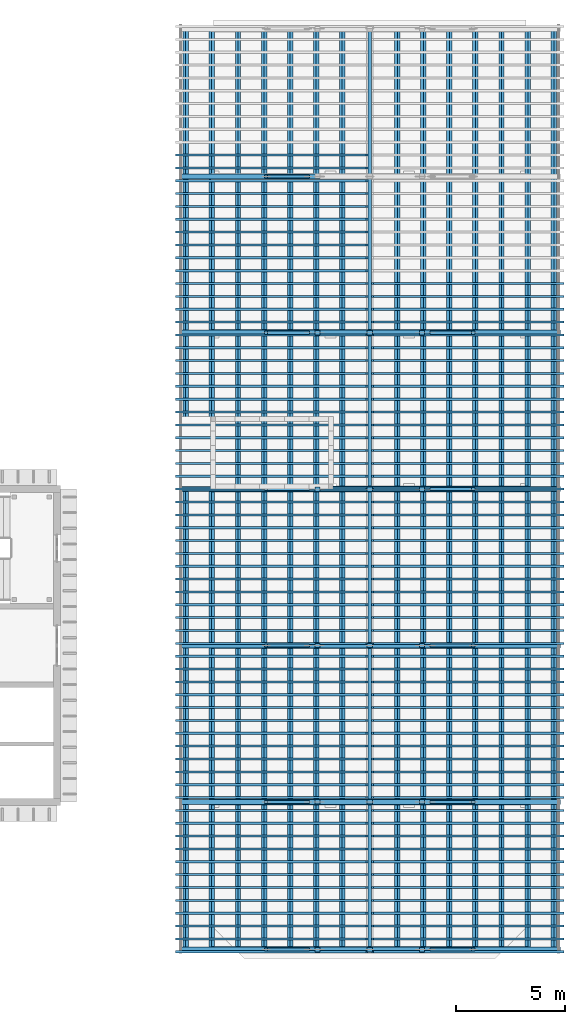
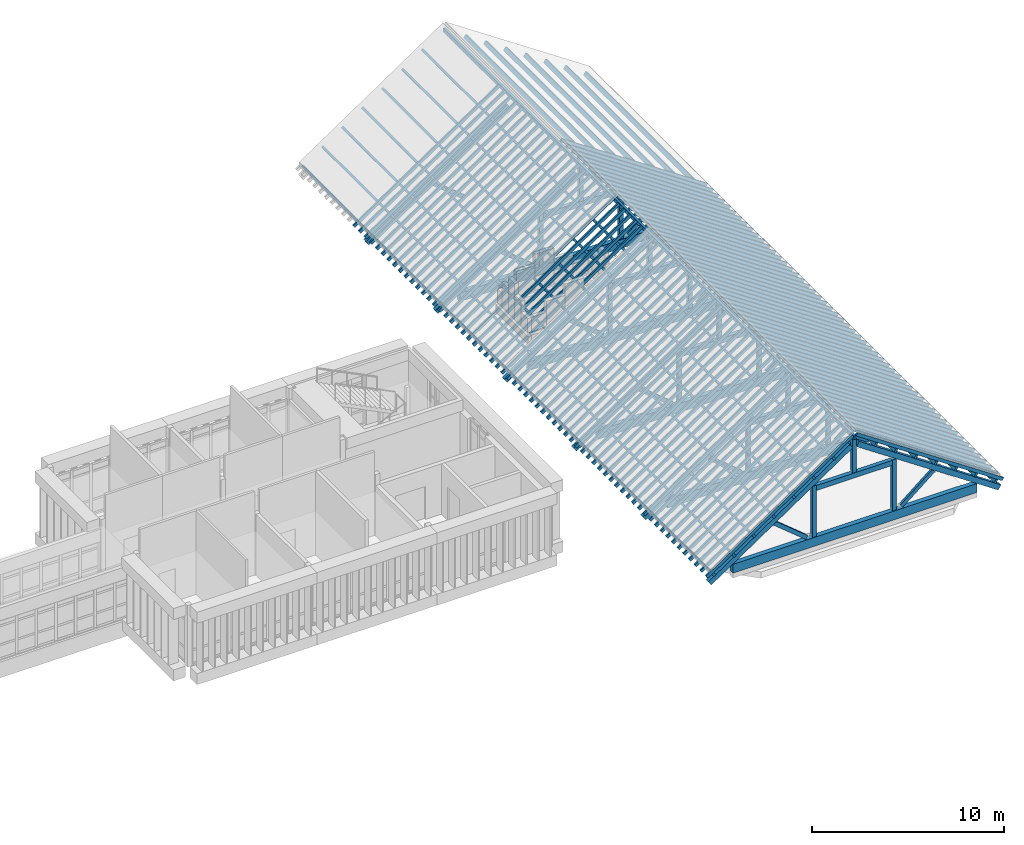
# One storey, part 15 of 51: 173 members, 5 beams.
"""IFC4 building model written with IfcOpenShell, lengths in metres."""

from ifc_helpers import new_model, si_unit, direction, frame, origin, origin_2d, place, context, subcontext, project, spatial, rectangle, extrude, material, material_profile, profile_set, type_object, element, save


model = new_model("IFC4")

# Units and contexts
model_context = context("Model", 3, precision=1e-05, world=origin(), true_north=direction((0.0, 1.0)))
body_context = subcontext(model_context, "Body", "Model", "MODEL_VIEW")
ifc_project = project(units=[si_unit("LENGTHUNIT", "METRE"), si_unit("AREAUNIT", "SQUARE_METRE"), si_unit("VOLUMEUNIT", "CUBIC_METRE"), si_unit("PLANEANGLEUNIT", "RADIAN"), si_unit("MASSUNIT", "GRAM", prefix="KILO")], contexts=[model_context])

# Site, building, storey
site_placement = place(None, origin())
site = spatial("IfcSite", under=ifc_project, at=site_placement, CompositionType="ELEMENT")
building_placement = place(site_placement, origin())
building = spatial("IfcBuilding", under=site, at=building_placement, Name="Mazhai Court Health Centre", CompositionType="ELEMENT")
storey_placement = place(building_placement, frame((0.0, 0.0, 14.10009765625)))
storey = spatial("IfcBuildingStorey", under=building, at=storey_placement, Name="L03", CompositionType="ELEMENT", Elevation=14.10009765625)

# Members
ifc_material_1 = material(Name="Glulam GL24h", Category="wood")
ifc_material_profile_1 = material_profile(ifc_material_1, rectangle(XDim=0.10009765625, YDim=0.199951171875, at=origin_2d()), Name="GL24h 100x200")
ifc_profile_set_1 = profile_set([ifc_material_profile_1], Name="Glulam GL24h")
member_type_1 = type_object("IfcMemberType", Name="GL24h 100x200 rafter", PredefinedType="RAFTER", material=ifc_profile_set_1)
for number, where, z_axis, x_axis, name in (
    (1, (134.10986328125, 6.5, 0.296875), (0.829032291532, 0.0, 0.55920073283), (0.0, 1.0, 0.0), "Rafter RV6-RF1"),
    (2, (134.10986328125, 7.091552734375, 0.296875), (0.829032291532, 0.0, 0.55920073283), (0.0, 1.0, 0.0), "Rafter RV6-RF2"),
    (3, (134.10986328125, 7.683349609375, 0.296875), (0.829032291532, 0.0, 0.55920073283), (0.0, 1.0, 0.0), "Rafter RV6-RF3"),
    (4, (134.10986328125, 8.27490234375, 0.296875), (0.829032291532, 0.0, 0.55920073283), (0.0, 1.0, 0.0), "Rafter RV6-RF4"),
    (5, (134.10986328125, 8.86669921875, 0.296875), (0.829032291532, 0.0, 0.55920073283), (0.0, 1.0, 0.0), "Rafter RV6-RF5"),
    (6, (134.10986328125, 9.458251953125, 0.296875), (0.829032291532, 0.0, 0.55920073283), (0.0, 1.0, 0.0), "Rafter RV6-RF6"),
    (7, (134.10986328125, 10.050048828125, 0.296875), (0.829032291532, 0.0, 0.55920073283), (0.0, 1.0, 0.0), "Rafter RV6-RF7"),
    (8, (134.10986328125, 10.6416015625, 0.296875), (0.829032291532, 0.0, 0.55920073283), (0.0, 1.0, 0.0), "Rafter RV6-RF8"),
    (9, (134.10986328125, 11.2333984375, 0.296875), (0.829032291532, 0.0, 0.55920073283), (0.0, 1.0, 0.0), "Rafter RV6-RF9"),
    (10, (134.10986328125, 11.824951171875, 0.296875), (0.829032291532, 0.0, 0.55920073283), (0.0, 1.0, 0.0), "Rafter RV6-RF10"),
    (11, (134.10986328125, 12.416748046875, 0.296875), (0.829032291532, 0.0, 0.55920073283), (0.0, 1.0, 0.0), "Rafter RV6-RF11"),
    (12, (134.10986328125, 13.00830078125, 0.296875), (0.829032291532, 0.0, 0.55920073283), (0.0, 1.0, 0.0), "Rafter RV6-RF12"),
    (13, (134.10986328125, 13.60009765625, 0.296875), (0.829032291532, 0.0, 0.55920073283), (0.0, 1.0, 0.0), "Rafter RV6-RF13"),
    (14, (134.10986328125, 14.191650390625, 0.296875), (0.829032291532, 0.0, 0.55920073283), (0.0, 1.0, 0.0), "Rafter RV6-RF14"),
    (15, (134.10986328125, 14.783447265625, 0.296875), (0.829032291532, 0.0, 0.55920073283), (0.0, 1.0, 0.0), "Rafter RV6-RF15"),
    (16, (134.10986328125, 15.375, 0.296875), (0.829032291532, 0.0, 0.55920073283), (0.0, 1.0, 0.0), "Rafter RV6-RF16"),
    (17, (134.10986328125, 15.966552734375, 0.296875), (0.829032291532, 0.0, 0.55920073283), (0.0, 1.0, 0.0), "Rafter RV6-RF17"),
    (18, (134.10986328125, 16.558349609375, 0.296875), (0.829032291532, 0.0, 0.55920073283), (0.0, 1.0, 0.0), "Rafter RV6-RF18"),
    (19, (134.10986328125, 17.14990234375, 0.296875), (0.829032291532, 0.0, 0.55920073283), (0.0, 1.0, 0.0), "Rafter RV6-RF19"),
    (20, (134.10986328125, 17.74169921875, 0.296875), (0.829032291532, 0.0, 0.55920073283), (0.0, 1.0, 0.0), "Rafter RV6-RF20"),
    (21, (134.10986328125, 18.333251953125, 0.296875), (0.829032291532, 0.0, 0.55920073283), (0.0, 1.0, 0.0), "Rafter RV6-RF21"),
    (22, (134.10986328125, 18.925048828125, 0.296875), (0.829032291532, 0.0, 0.55920073283), (0.0, 1.0, 0.0), "Rafter RV6-RF22"),
    (23, (134.10986328125, 19.5166015625, 0.296875), (0.829032291532, 0.0, 0.55920073283), (0.0, 1.0, 0.0), "Rafter RV6-RF23"),
    (24, (134.10986328125, 20.1083984375, 0.296875), (0.829032291532, 0.0, 0.55920073283), (0.0, 1.0, 0.0), "Rafter RV6-RF24"),
    (25, (134.10986328125, 20.699951171875, 0.296875), (0.829032291532, 0.0, 0.55920073283), (0.0, 1.0, 0.0), "Rafter RV6-RF25"),
    (26, (134.10986328125, 21.291748046875, 0.296875), (0.829032291532, 0.0, 0.55920073283), (0.0, 1.0, 0.0), "Rafter RV6-RF26"),
    (27, (134.10986328125, 21.88330078125, 0.296875), (0.829032291532, 0.0, 0.55920073283), (0.0, 1.0, 0.0), "Rafter RV6-RF27"),
    (28, (134.10986328125, 22.47509765625, 0.296875), (0.829032291532, 0.0, 0.55920073283), (0.0, 1.0, 0.0), "Rafter RV6-RF28"),
    (29, (134.10986328125, 23.066650390625, 0.296875), (0.829032291532, 0.0, 0.55920073283), (0.0, 1.0, 0.0), "Rafter RV6-RF29"),
    (30, (134.10986328125, 23.658447265625, 0.296875), (0.829032291532, 0.0, 0.55920073283), (0.0, 1.0, 0.0), "Rafter RV6-RF30"),
    (31, (134.10986328125, 24.25, 0.296875), (0.829032291532, 0.0, 0.55920073283), (0.0, 1.0, 0.0), "Rafter RV6-RF31"),
    (32, (134.10986328125, 24.841552734375, 0.296875), (0.829032291532, 0.0, 0.55920073283), (0.0, 1.0, 0.0), "Rafter RV6-RF32"),
    (33, (134.10986328125, 25.433349609375, 0.296875), (0.829032291532, 0.0, 0.55920073283), (0.0, 1.0, 0.0), "Rafter RV6-RF33"),
    (34, (134.10986328125, 26.02490234375, 0.296875), (0.829032291532, 0.0, 0.55920073283), (0.0, 1.0, 0.0), "Rafter RV6-RF34"),
    (35, (134.10986328125, 26.61669921875, 0.296875), (0.829032291532, 0.0, 0.55920073283), (0.0, 1.0, 0.0), "Rafter RV6-RF35"),
    (36, (134.10986328125, 27.208251953125, 0.296875), (0.829032291532, 0.0, 0.55920073283), (0.0, 1.0, 0.0), "Rafter RV6-RF36"),
    (37, (134.10986328125, 27.800048828125, 0.296875), (0.829032291532, 0.0, 0.55920073283), (0.0, 1.0, 0.0), "Rafter RV6-RF37"),
    (38, (134.10986328125, 28.3916015625, 0.296875), (0.829032291532, 0.0, 0.55920073283), (0.0, 1.0, 0.0), "Rafter RV6-RF38"),
    (39, (134.10986328125, 28.9833984375, 0.296875), (0.829032291532, 0.0, 0.55920073283), (0.0, 1.0, 0.0), "Rafter RV6-RF39"),
    (40, (134.10986328125, 29.574951171875, 0.296875), (0.829032291532, 0.0, 0.55920073283), (0.0, 1.0, 0.0), "Rafter RV6-RF40"),
    (41, (134.10986328125, 30.166748046875, 0.296875), (0.829032291532, 0.0, 0.55920073283), (0.0, 1.0, 0.0), "Rafter RV6-RF41"),
    (42, (134.10986328125, 30.75830078125, 0.296875), (0.829032291532, 0.0, 0.55920073283), (0.0, 1.0, 0.0), "Rafter RV6-RF42"),
    (43, (134.10986328125, 31.35009765625, 0.296875), (0.829032291532, 0.0, 0.55920073283), (0.0, 1.0, 0.0), "Rafter RV6-RF43"),
    (44, (134.10986328125, 31.941650390625, 0.296875), (0.829032291532, 0.0, 0.55920073283), (0.0, 1.0, 0.0), "Rafter RV6-RF44"),
    (45, (134.10986328125, 32.533447265625, 0.296875), (0.829032291532, 0.0, 0.55920073283), (0.0, 1.0, 0.0), "Rafter RV6-RF45"),
    (46, (134.10986328125, 33.125, 0.296875), (0.829032291532, 0.0, 0.55920073283), (0.0, 1.0, 0.0), "Rafter RV6-RF46"),
    (47, (134.10986328125, 33.716552734375, 0.296875), (0.829032291532, 0.0, 0.55920073283), (0.0, 1.0, 0.0), "Rafter RV6-RF47"),
    (48, (134.10986328125, 34.308349609375, 0.296875), (0.829032291532, 0.0, 0.55920073283), (0.0, 1.0, 0.0), "Rafter RV6-RF48"),
    (49, (134.10986328125, 34.89990234375, 0.296875), (0.829032291532, 0.0, 0.55920073283), (0.0, 1.0, 0.0), "Rafter RV6-RF49"),
    (50, (134.10986328125, 35.49169921875, 0.296875), (0.829032291532, 0.0, 0.55920073283), (0.0, 1.0, 0.0), "Rafter RV6-RF50"),
    (51, (134.10986328125, 36.083251953125, 0.296875), (0.829032291532, 0.0, 0.55920073283), (0.0, 1.0, 0.0), "Rafter RV6-RF51"),
    (52, (134.10986328125, 36.675048828125, 0.296875), (0.829032291532, 0.0, 0.55920073283), (0.0, 1.0, 0.0), "Rafter RV6-RF52"),
    (53, (134.10986328125, 37.2666015625, 0.296875), (0.829032291532, 0.0, 0.55920073283), (0.0, 1.0, 0.0), "Rafter RV6-RF53"),
    (54, (134.10986328125, 37.8583984375, 0.296875), (0.829032291532, 0.0, 0.55920073283), (0.0, 1.0, 0.0), "Rafter RV6-RF54"),
    (55, (134.10986328125, 38.449951171875, 0.296875), (0.829032291532, 0.0, 0.55920073283), (0.0, 1.0, 0.0), "Rafter RV6-RF55"),
    (56, (134.10986328125, 39.041748046875, 0.296875), (0.829032291532, 0.0, 0.55920073283), (0.0, 1.0, 0.0), "Rafter RV6-RF56"),
    (57, (134.10986328125, 39.63330078125, 0.296875), (0.829032291532, 0.0, 0.55920073283), (0.0, 1.0, 0.0), "Rafter RV6-RF57"),
    (58, (134.10986328125, 40.22509765625, 0.296875), (0.829032291532, 0.0, 0.55920073283), (0.0, 1.0, 0.0), "Rafter RV6-RF58"),
    (59, (134.10986328125, 40.816650390625, 0.296875), (0.829032291532, 0.0, 0.55920073283), (0.0, 1.0, 0.0), "Rafter RV6-RF59"),
    (60, (134.10986328125, 41.408447265625, 0.296875), (0.829032291532, 0.0, 0.55920073283), (0.0, 1.0, 0.0), "Rafter RV6-RF60"),
    (61, (134.10986328125, 42.0, 0.296875), (0.829032291532, 0.0, 0.55920073283), (0.0, 1.0, 0.0), "Rafter RV6-RF61"),
    (62, (134.10986328125, 42.591552734375, 0.296875), (0.829032291532, 0.0, 0.55920073283), (0.0, 1.0, 0.0), "Rafter RV6-RF62"),
    (63, (134.10986328125, 43.183349609375, 0.296875), (0.829032291532, 0.0, 0.55920073283), (0.0, 1.0, 0.0), "Rafter RV6-RF63"),
    (64, (151.89013671875, 37.2666015625, 0.296875), (-0.829032291532, 0.0, 0.55920073283), (0.0, -1.0, 0.0), "Rafter RV6-RF94"),
    (65, (151.89013671875, 36.675048828125, 0.296875), (-0.829032291532, 0.0, 0.55920073283), (0.0, -1.0, 0.0), "Rafter RV6-RF95"),
    (66, (151.89013671875, 36.083251953125, 0.296875), (-0.829032291532, 0.0, 0.55920073283), (0.0, -1.0, 0.0), "Rafter RV6-RF96"),
    (67, (151.89013671875, 35.49169921875, 0.296875), (-0.829032291532, 0.0, 0.55920073283), (0.0, -1.0, 0.0), "Rafter RV6-RF97"),
    (68, (151.89013671875, 34.89990234375, 0.296875), (-0.829032291532, 0.0, 0.55920073283), (0.0, -1.0, 0.0), "Rafter RV6-RF98"),
    (69, (151.89013671875, 34.308349609375, 0.296875), (-0.829032291532, 0.0, 0.55920073283), (0.0, -1.0, 0.0), "Rafter RV6-RF99"),
    (70, (151.89013671875, 33.716552734375, 0.296875), (-0.829032291532, 0.0, 0.55920073283), (0.0, -1.0, 0.0), "Rafter RV6-RF100"),
    (71, (151.89013671875, 33.125, 0.296875), (-0.829032291532, 0.0, 0.55920073283), (0.0, -1.0, 0.0), "Rafter RV6-RF101"),
    (72, (151.89013671875, 32.533447265625, 0.296875), (-0.829032291532, 0.0, 0.55920073283), (0.0, -1.0, 0.0), "Rafter RV6-RF102"),
    (73, (151.89013671875, 31.941650390625, 0.296875), (-0.829032291532, 0.0, 0.55920073283), (0.0, -1.0, 0.0), "Rafter RV6-RF103"),
    (74, (151.89013671875, 31.35009765625, 0.296875), (-0.829032291532, 0.0, 0.55920073283), (0.0, -1.0, 0.0), "Rafter RV6-RF104"),
    (75, (151.89013671875, 30.75830078125, 0.296875), (-0.829032291532, 0.0, 0.55920073283), (0.0, -1.0, 0.0), "Rafter RV6-RF105"),
    (76, (151.89013671875, 30.166748046875, 0.296875), (-0.829032291532, 0.0, 0.55920073283), (0.0, -1.0, 0.0), "Rafter RV6-RF106"),
    (77, (151.89013671875, 29.574951171875, 0.296875), (-0.829032291532, 0.0, 0.55920073283), (0.0, -1.0, 0.0), "Rafter RV6-RF107"),
    (78, (151.89013671875, 28.9833984375, 0.296875), (-0.829032291532, 0.0, 0.55920073283), (0.0, -1.0, 0.0), "Rafter RV6-RF108"),
    (79, (151.89013671875, 28.3916015625, 0.296875), (-0.829032291532, 0.0, 0.55920073283), (0.0, -1.0, 0.0), "Rafter RV6-RF109"),
    (80, (151.89013671875, 27.800048828125, 0.296875), (-0.829032291532, 0.0, 0.55920073283), (0.0, -1.0, 0.0), "Rafter RV6-RF110"),
    (81, (151.89013671875, 27.208251953125, 0.296875), (-0.829032291532, 0.0, 0.55920073283), (0.0, -1.0, 0.0), "Rafter RV6-RF111"),
    (82, (151.89013671875, 26.61669921875, 0.296875), (-0.829032291532, 0.0, 0.55920073283), (0.0, -1.0, 0.0), "Rafter RV6-RF112"),
    (83, (151.89013671875, 26.02490234375, 0.296875), (-0.829032291532, 0.0, 0.55920073283), (0.0, -1.0, 0.0), "Rafter RV6-RF113"),
    (84, (151.89013671875, 25.433349609375, 0.296875), (-0.829032291532, 0.0, 0.55920073283), (0.0, -1.0, 0.0), "Rafter RV6-RF114"),
    (85, (151.89013671875, 24.841552734375, 0.296875), (-0.829032291532, 0.0, 0.55920073283), (0.0, -1.0, 0.0), "Rafter RV6-RF115"),
    (86, (151.89013671875, 24.25, 0.296875), (-0.829032291532, 0.0, 0.55920073283), (0.0, -1.0, 0.0), "Rafter RV6-RF116"),
    (87, (151.89013671875, 23.658447265625, 0.296875), (-0.829032291532, 0.0, 0.55920073283), (0.0, -1.0, 0.0), "Rafter RV6-RF117"),
    (88, (151.89013671875, 23.066650390625, 0.296875), (-0.829032291532, 0.0, 0.55920073283), (0.0, -1.0, 0.0), "Rafter RV6-RF118"),
    (89, (151.89013671875, 22.47509765625, 0.296875), (-0.829032291532, 0.0, 0.55920073283), (0.0, -1.0, 0.0), "Rafter RV6-RF119"),
    (90, (151.89013671875, 21.88330078125, 0.296875), (-0.829032291532, 0.0, 0.55920073283), (0.0, -1.0, 0.0), "Rafter RV6-RF120"),
    (91, (151.89013671875, 21.291748046875, 0.296875), (-0.829032291532, 0.0, 0.55920073283), (0.0, -1.0, 0.0), "Rafter RV6-RF121"),
    (92, (151.89013671875, 20.699951171875, 0.296875), (-0.829032291532, 0.0, 0.55920073283), (0.0, -1.0, 0.0), "Rafter RV6-RF122"),
    (93, (151.89013671875, 20.1083984375, 0.296875), (-0.829032291532, 0.0, 0.55920073283), (0.0, -1.0, 0.0), "Rafter RV6-RF123"),
    (94, (151.89013671875, 19.5166015625, 0.296875), (-0.829032291532, 0.0, 0.55920073283), (0.0, -1.0, 0.0), "Rafter RV6-RF124"),
    (95, (151.89013671875, 18.925048828125, 0.296875), (-0.829032291532, 0.0, 0.55920073283), (0.0, -1.0, 0.0), "Rafter RV6-RF125"),
    (96, (151.89013671875, 18.333251953125, 0.296875), (-0.829032291532, 0.0, 0.55920073283), (0.0, -1.0, 0.0), "Rafter RV6-RF126"),
    (97, (151.89013671875, 17.74169921875, 0.296875), (-0.829032291532, 0.0, 0.55920073283), (0.0, -1.0, 0.0), "Rafter RV6-RF127"),
    (98, (151.89013671875, 17.14990234375, 0.296875), (-0.829032291532, 0.0, 0.55920073283), (0.0, -1.0, 0.0), "Rafter RV6-RF128"),
    (99, (151.89013671875, 16.558349609375, 0.296875), (-0.829032291532, 0.0, 0.55920073283), (0.0, -1.0, 0.0), "Rafter RV6-RF129"),
    (100, (151.89013671875, 15.966552734375, 0.296875), (-0.829032291532, 0.0, 0.55920073283), (0.0, -1.0, 0.0), "Rafter RV6-RF130"),
    (101, (151.89013671875, 15.375, 0.296875), (-0.829032291532, 0.0, 0.55920073283), (0.0, -1.0, 0.0), "Rafter RV6-RF131"),
    (102, (151.89013671875, 14.783447265625, 0.296875), (-0.829032291532, 0.0, 0.55920073283), (0.0, -1.0, 0.0), "Rafter RV6-RF132"),
    (103, (151.89013671875, 14.191650390625, 0.296875), (-0.829032291532, 0.0, 0.55920073283), (0.0, -1.0, 0.0), "Rafter RV6-RF133"),
    (104, (151.89013671875, 13.60009765625, 0.296875), (-0.829032291532, 0.0, 0.55920073283), (0.0, -1.0, 0.0), "Rafter RV6-RF134"),
    (105, (151.89013671875, 13.00830078125, 0.296875), (-0.829032291532, 0.0, 0.55920073283), (0.0, -1.0, 0.0), "Rafter RV6-RF135"),
    (106, (151.89013671875, 12.416748046875, 0.296875), (-0.829032291532, 0.0, 0.55920073283), (0.0, -1.0, 0.0), "Rafter RV6-RF136"),
    (107, (151.89013671875, 11.824951171875, 0.296875), (-0.829032291532, 0.0, 0.55920073283), (0.0, -1.0, 0.0), "Rafter RV6-RF137"),
    (108, (151.89013671875, 11.2333984375, 0.296875), (-0.829032291532, 0.0, 0.55920073283), (0.0, -1.0, 0.0), "Rafter RV6-RF138"),
    (109, (151.89013671875, 10.6416015625, 0.296875), (-0.829032291532, 0.0, 0.55920073283), (0.0, -1.0, 0.0), "Rafter RV6-RF139"),
    (110, (151.89013671875, 10.050048828125, 0.296875), (-0.829032291532, 0.0, 0.55920073283), (0.0, -1.0, 0.0), "Rafter RV6-RF140"),
    (111, (151.89013671875, 9.458251953125, 0.296875), (-0.829032291532, 0.0, 0.55920073283), (0.0, -1.0, 0.0), "Rafter RV6-RF141"),
    (112, (151.89013671875, 8.86669921875, 0.296875), (-0.829032291532, 0.0, 0.55920073283), (0.0, -1.0, 0.0), "Rafter RV6-RF142"),
    (113, (151.89013671875, 8.27490234375, 0.296875), (-0.829032291532, 0.0, 0.55920073283), (0.0, -1.0, 0.0), "Rafter RV6-RF143"),
    (114, (151.89013671875, 7.683349609375, 0.296875), (-0.829032291532, 0.0, 0.55920073283), (0.0, -1.0, 0.0), "Rafter RV6-RF144"),
    (115, (151.89013671875, 7.091552734375, 0.296875), (-0.829032291532, 0.0, 0.55920073283), (0.0, -1.0, 0.0), "Rafter RV6-RF145"),
    (116, (151.89013671875, 6.5, 0.296875), (-0.829032291532, 0.0, 0.55920073283), (0.0, -1.0, 0.0), "Rafter RV6-RF146"),
):
    element("IfcMember", number, at=place(storey_placement, frame(where, z_axis=z_axis, x_axis=x_axis)), inside=storey, type_object=member_type_1, Name=name, PredefinedType="RAFTER", context=body_context, shape_type="SweptSolid", body=[
        extrude(rectangle(XDim=0.10009765625, YDim=0.199951171875, at=origin_2d()), origin(), (0.0, 0.0, 1.0), 10.571533203125),
    ])
ifc_material_2 = material(Name="Glulam GL24h", Category="wood")
ifc_material_profile_2 = material_profile(ifc_material_2, rectangle(XDim=0.139892578125, YDim=0.239990234375, at=origin_2d()), Name="GL24h 140x240")
ifc_profile_set_2 = profile_set([ifc_material_profile_2], Name="Glulam GL24h")
member_type_2 = type_object("IfcMemberType", Name="GL24h 140x240 purlin", PredefinedType="PURLIN", material=ifc_profile_set_2)
for number, where, z_axis, x_axis, name in (
    (117, (134.532958984375, 6.449951171875, 0.31689453125), (0.0, 1.0, 0.0), (-0.829037572555, 0.0, -0.559192903471), "Purlin RV6-PU1"),
    (118, (135.73291015625, 6.449951171875, 1.126220703125), (0.0, 1.0, 0.0), (-0.829037572555, 0.0, -0.559192903471), "Purlin RV6-PU2"),
    (119, (136.932861328125, 6.449951171875, 1.935791015625), (0.0, 1.0, 0.0), (-0.829037572555, 0.0, -0.559192903471), "Purlin RV6-PU3"),
    (120, (138.1328125, 6.449951171875, 2.7451171875), (0.0, 1.0, 0.0), (-0.829037572555, 0.0, -0.559192903471), "Purlin RV6-PU4"),
    (121, (139.3330078125, 6.449951171875, 3.554443359375), (0.0, 1.0, 0.0), (-0.829037572555, 0.0, -0.559192903471), "Purlin RV6-PU5"),
    (122, (140.532958984375, 6.449951171875, 4.364013671875), (0.0, 1.0, 0.0), (-0.829037572555, 0.0, -0.559192903471), "Purlin RV6-PU6"),
    (123, (141.73291015625, 6.449951171875, 5.17333984375), (0.0, 1.0, 0.0), (-0.829037572555, 0.0, -0.559192903471), "Purlin RV6-PU7"),
    (124, (151.467041015625, 6.449951171875, 0.31689453125), (0.0, 1.0, 0.0), (-0.829037572555, 0.0, 0.559192903471), "Purlin RV6-PU8"),
    (125, (150.26708984375, 6.449951171875, 1.126220703125), (0.0, 1.0, 0.0), (-0.829037572555, 0.0, 0.559192903471), "Purlin RV6-PU9"),
    (126, (149.067138671875, 6.449951171875, 1.935791015625), (0.0, 1.0, 0.0), (-0.829037572555, 0.0, 0.559192903471), "Purlin RV6-PU10"),
    (127, (147.8671875, 6.449951171875, 2.7451171875), (0.0, 1.0, 0.0), (-0.829037572555, 0.0, 0.559192903471), "Purlin RV6-PU11"),
    (128, (146.6669921875, 6.449951171875, 3.554443359375), (0.0, 1.0, 0.0), (-0.829037572555, 0.0, 0.559192903471), "Purlin RV6-PU12"),
    (129, (145.467041015625, 6.449951171875, 4.364013671875), (0.0, 1.0, 0.0), (-0.829037572555, 0.0, 0.559192903471), "Purlin RV6-PU13"),
    (130, (144.26708984375, 6.449951171875, 5.17333984375), (0.0, 1.0, 0.0), (-0.829037572555, 0.0, 0.559192903471), "Purlin RV6-PU14"),
):
    element("IfcMember", number, at=place(storey_placement, frame(where, z_axis=z_axis, x_axis=x_axis)), inside=storey, type_object=member_type_2, Name=name, PredefinedType="PURLIN", context=body_context, shape_type="SweptSolid", body=[
        extrude(rectangle(XDim=0.139892578125, YDim=0.239990234375, at=origin_2d()), origin(), (0.0, 0.0, 1.0), 42.699951171875),
    ])
ifc_material_3 = material(Name="Glulam GL24h", Category="wood")
ifc_material_profile_3 = material_profile(ifc_material_3, rectangle(XDim=0.139892578125, YDim=0.239990234375, at=origin_2d()), Name="GL24h 140x240")
ifc_profile_set_3 = profile_set([ifc_material_profile_3], Name="Glulam GL24h")
member_type_3 = type_object("IfcMemberType", Name="GL24h 140x240 ridge purlin", PredefinedType="PURLIN", material=ifc_profile_set_3)
member_1_placement = place(storey_placement, frame((143.0, 6.449951171875, 6.052734375), z_axis=(0.0, 1.0, 0.0), x_axis=(-1.0, 0.0, 0.0)))
element("IfcMember", 131, at=member_1_placement, inside=storey, type_object=member_type_3, Name="Ridge purlin RV6-RP1", PredefinedType="PURLIN", context=body_context, shape_type="SweptSolid", body=[
    extrude(rectangle(XDim=0.139892578125, YDim=0.239990234375, at=origin_2d()), origin(), (0.0, 0.0, 1.0), 42.699951171875),
])
ifc_material_4 = material(Name="Glulam GL24h", Category="wood")
ifc_material_profile_4 = material_profile(ifc_material_4, rectangle(XDim=0.139892578125, YDim=0.239990234375, at=origin_2d()), Name="GL24h 140x240")
ifc_profile_set_4 = profile_set([ifc_material_profile_4], Name="Glulam GL24h")
member_type_4 = type_object("IfcMemberType", Name="GL24h 140x240 strut", PredefinedType="BRACE", material=ifc_profile_set_4)
for number, where, z_axis, x_axis, name in (
    (132, (145.8408203125, 6.60009765625, 0.652587890625), (0.773172899775, 0.0, 0.634195290942), (0.0, 1.0, 0.0), "Strut TV6-1-S1"),
    (133, (140.1591796875, 6.60009765625, 0.652587890625), (-0.773172899775, 0.0, 0.634195290942), (0.0, -1.0, 0.0), "Strut TV6-1-S2"),
    (134, (145.8408203125, 13.39990234375, 0.652587890625), (0.773172899775, 0.0, 0.634195290942), (0.0, 1.0, 0.0), "Strut TV6-2-S1"),
    (135, (140.1591796875, 13.39990234375, 0.652587890625), (-0.773172899775, 0.0, 0.634195290942), (0.0, -1.0, 0.0), "Strut TV6-2-S2"),
    (136, (145.8408203125, 20.60009765625, 0.652587890625), (0.773172899775, 0.0, 0.634195290942), (0.0, 1.0, 0.0), "Strut TV6-3-S1"),
    (137, (140.1591796875, 20.60009765625, 0.652587890625), (-0.773172899775, 0.0, 0.634195290942), (0.0, -1.0, 0.0), "Strut TV6-3-S2"),
    (138, (145.8408203125, 27.800048828125, 0.652587890625), (0.773172899775, 0.0, 0.634195290942), (0.0, 1.0, 0.0), "Strut TV6-4-S1"),
    (139, (140.1591796875, 27.800048828125, 0.652587890625), (-0.773172899775, 0.0, 0.634195290942), (0.0, -1.0, 0.0), "Strut TV6-4-S2"),
    (140, (145.8408203125, 35.0, 0.652587890625), (0.773172899775, 0.0, 0.634195290942), (0.0, 1.0, 0.0), "Strut TV6-5-S1"),
    (141, (140.1591796875, 35.0, 0.652587890625), (-0.773172899775, 0.0, 0.634195290942), (0.0, -1.0, 0.0), "Strut TV6-5-S2"),
    (142, (140.1591796875, 42.199951171875, 0.652587890625), (-0.773172899775, 0.0, 0.634195290942), (0.0, -1.0, 0.0), "Strut TV6-6-S2"),
):
    element("IfcMember", number, at=place(storey_placement, frame(where, z_axis=z_axis, x_axis=x_axis)), inside=storey, type_object=member_type_4, Name=name, PredefinedType="BRACE", context=body_context, shape_type="SweptSolid", body=[
        extrude(rectangle(XDim=0.139892578125, YDim=0.239990234375, at=origin_2d()), origin(), (0.0, 0.0, 1.0), 2.498046875),
    ])
ifc_material_5 = material(Name="Glulam GL28h", Category="wood")
ifc_material_profile_5 = material_profile(ifc_material_5, rectangle(XDim=0.199951171875, YDim=0.239990234375, at=origin_2d()), Name="GL28h 200x240")
ifc_profile_set_5 = profile_set([ifc_material_profile_5], Name="Glulam GL28h")
member_type_5 = type_object("IfcMemberType", Name="GL28h 200x240 post", PredefinedType="POST", material=ifc_profile_set_5)
for number, where, z_axis, x_axis, name in (
    (143, (145.39990234375, 6.60009765625, 0.559814453125), (0.0, 0.0, 1.0), (0.0, 1.0, 0.0), "Post TV6-1-P1"),
    (144, (140.60009765625, 6.60009765625, 0.559814453125), (0.0, 0.0, 1.0), (0.0, 1.0, 0.0), "Post TV6-1-P2"),
):
    element("IfcMember", number, at=place(storey_placement, frame(where, z_axis=z_axis, x_axis=x_axis)), inside=storey, type_object=member_type_5, Name=name, PredefinedType="POST", context=body_context, shape_type="SweptSolid", body=[
        extrude(rectangle(XDim=0.199951171875, YDim=0.239990234375, at=origin_2d()), origin(), (0.0, 0.0, 1.0), 3.23779296875),
    ])
member_2_placement = place(storey_placement, frame((143.0, 6.60009765625, 3.797607421875), z_axis=(0.0, 0.0, 1.0), x_axis=(0.0, 1.0, 0.0)))
element("IfcMember", 145, at=member_2_placement, inside=storey, type_object=member_type_5, Name="Post TV6-1-P3", PredefinedType="POST", context=body_context, shape_type="SweptSolid", body=[
    extrude(rectangle(XDim=0.199951171875, YDim=0.239990234375, at=origin_2d()), origin(), (0.0, 0.0, 1.0), 2.13525390625),
])
for number, where, z_axis, x_axis, name in (
    (146, (145.39990234375, 13.39990234375, 0.559814453125), (0.0, 0.0, 1.0), (0.0, 1.0, 0.0), "Post TV6-2-P1"),
    (147, (140.60009765625, 13.39990234375, 0.559814453125), (0.0, 0.0, 1.0), (0.0, 1.0, 0.0), "Post TV6-2-P2"),
):
    element("IfcMember", number, at=place(storey_placement, frame(where, z_axis=z_axis, x_axis=x_axis)), inside=storey, type_object=member_type_5, Name=name, PredefinedType="POST", context=body_context, shape_type="SweptSolid", body=[
        extrude(rectangle(XDim=0.199951171875, YDim=0.239990234375, at=origin_2d()), origin(), (0.0, 0.0, 1.0), 3.23779296875),
    ])
member_3_placement = place(storey_placement, frame((143.0, 13.39990234375, 3.797607421875), z_axis=(0.0, 0.0, 1.0), x_axis=(0.0, 1.0, 0.0)))
element("IfcMember", 148, at=member_3_placement, inside=storey, type_object=member_type_5, Name="Post TV6-2-P3", PredefinedType="POST", context=body_context, shape_type="SweptSolid", body=[
    extrude(rectangle(XDim=0.199951171875, YDim=0.239990234375, at=origin_2d()), origin(), (0.0, 0.0, 1.0), 2.13525390625),
])
for number, where, z_axis, x_axis, name in (
    (149, (145.39990234375, 20.60009765625, 0.559814453125), (0.0, 0.0, 1.0), (0.0, 1.0, 0.0), "Post TV6-3-P1"),
    (150, (140.60009765625, 20.60009765625, 0.559814453125), (0.0, 0.0, 1.0), (0.0, 1.0, 0.0), "Post TV6-3-P2"),
):
    element("IfcMember", number, at=place(storey_placement, frame(where, z_axis=z_axis, x_axis=x_axis)), inside=storey, type_object=member_type_5, Name=name, PredefinedType="POST", context=body_context, shape_type="SweptSolid", body=[
        extrude(rectangle(XDim=0.199951171875, YDim=0.239990234375, at=origin_2d()), origin(), (0.0, 0.0, 1.0), 3.23779296875),
    ])
member_4_placement = place(storey_placement, frame((143.0, 20.60009765625, 3.797607421875), z_axis=(0.0, 0.0, 1.0), x_axis=(0.0, 1.0, 0.0)))
element("IfcMember", 151, at=member_4_placement, inside=storey, type_object=member_type_5, Name="Post TV6-3-P3", PredefinedType="POST", context=body_context, shape_type="SweptSolid", body=[
    extrude(rectangle(XDim=0.199951171875, YDim=0.239990234375, at=origin_2d()), origin(), (0.0, 0.0, 1.0), 2.13525390625),
])
for number, where, z_axis, x_axis, name in (
    (152, (145.39990234375, 27.800048828125, 0.559814453125), (0.0, 0.0, 1.0), (0.0, 1.0, 0.0), "Post TV6-4-P1"),
    (153, (140.60009765625, 27.800048828125, 0.559814453125), (0.0, 0.0, 1.0), (0.0, 1.0, 0.0), "Post TV6-4-P2"),
):
    element("IfcMember", number, at=place(storey_placement, frame(where, z_axis=z_axis, x_axis=x_axis)), inside=storey, type_object=member_type_5, Name=name, PredefinedType="POST", context=body_context, shape_type="SweptSolid", body=[
        extrude(rectangle(XDim=0.199951171875, YDim=0.239990234375, at=origin_2d()), origin(), (0.0, 0.0, 1.0), 3.23779296875),
    ])
member_5_placement = place(storey_placement, frame((143.0, 27.800048828125, 3.797607421875), z_axis=(0.0, 0.0, 1.0), x_axis=(0.0, 1.0, 0.0)))
element("IfcMember", 154, at=member_5_placement, inside=storey, type_object=member_type_5, Name="Post TV6-4-P3", PredefinedType="POST", context=body_context, shape_type="SweptSolid", body=[
    extrude(rectangle(XDim=0.199951171875, YDim=0.239990234375, at=origin_2d()), origin(), (0.0, 0.0, 1.0), 2.13525390625),
])
for number, where, z_axis, x_axis, name in (
    (155, (145.39990234375, 35.0, 0.559814453125), (0.0, 0.0, 1.0), (0.0, 1.0, 0.0), "Post TV6-5-P1"),
    (156, (140.60009765625, 35.0, 0.559814453125), (0.0, 0.0, 1.0), (0.0, 1.0, 0.0), "Post TV6-5-P2"),
):
    element("IfcMember", number, at=place(storey_placement, frame(where, z_axis=z_axis, x_axis=x_axis)), inside=storey, type_object=member_type_5, Name=name, PredefinedType="POST", context=body_context, shape_type="SweptSolid", body=[
        extrude(rectangle(XDim=0.199951171875, YDim=0.239990234375, at=origin_2d()), origin(), (0.0, 0.0, 1.0), 3.23779296875),
    ])
member_6_placement = place(storey_placement, frame((143.0, 35.0, 3.797607421875), z_axis=(0.0, 0.0, 1.0), x_axis=(0.0, 1.0, 0.0)))
element("IfcMember", 157, at=member_6_placement, inside=storey, type_object=member_type_5, Name="Post TV6-5-P3", PredefinedType="POST", context=body_context, shape_type="SweptSolid", body=[
    extrude(rectangle(XDim=0.199951171875, YDim=0.239990234375, at=origin_2d()), origin(), (0.0, 0.0, 1.0), 2.13525390625),
])
ifc_material_6 = material(Name="Glulam GL28h", Category="wood")
ifc_material_profile_6 = material_profile(ifc_material_6, rectangle(XDim=0.239990234375, YDim=0.320068359375, at=origin_2d()), Name="GL28h 240x320")
ifc_profile_set_6 = profile_set([ifc_material_profile_6], Name="Glulam GL28h")
member_type_6 = type_object("IfcMemberType", Name="GL28h 240x320 collar", PredefinedType="COLLAR", material=ifc_profile_set_6)
for number, where, z_axis, x_axis, name in (
    (158, (145.280029296875, 6.60009765625, 3.637451171875), (-1.0, 0.0, 0.0), (0.0, -1.0, 0.0), "Collar TV6-1-SB1"),
    (159, (145.280029296875, 13.39990234375, 3.637451171875), (-1.0, 0.0, 0.0), (0.0, -1.0, 0.0), "Collar TV6-2-SB1"),
    (160, (145.280029296875, 20.60009765625, 3.637451171875), (-1.0, 0.0, 0.0), (0.0, -1.0, 0.0), "Collar TV6-3-SB1"),
    (161, (145.280029296875, 27.800048828125, 3.637451171875), (-1.0, 0.0, 0.0), (0.0, -1.0, 0.0), "Collar TV6-4-SB1"),
    (162, (145.280029296875, 35.0, 3.637451171875), (-1.0, 0.0, 0.0), (0.0, -1.0, 0.0), "Collar TV6-5-SB1"),
):
    element("IfcMember", number, at=place(storey_placement, frame(where, z_axis=z_axis, x_axis=x_axis)), inside=storey, type_object=member_type_6, Name=name, PredefinedType="COLLAR", context=body_context, shape_type="SweptSolid", body=[
        extrude(rectangle(XDim=0.239990234375, YDim=0.320068359375, at=origin_2d()), origin(), (0.0, 0.0, 1.0), 4.56005859375),
    ])
ifc_material_7 = material(Name="Glulam GL28h", Category="wood")
ifc_material_profile_7 = material_profile(ifc_material_7, rectangle(XDim=0.239990234375, YDim=0.320068359375, at=origin_2d()), Name="GL28h 240x320")
ifc_profile_set_7 = profile_set([ifc_material_profile_7], Name="Glulam GL28h")
member_type_7 = type_object("IfcMemberType", Name="GL28h 240x320 rafter", PredefinedType="CHORD", material=ifc_profile_set_7)
for number, where, z_axis, x_axis, name in (
    (163, (151.699951171875, 6.60009765625, -0.177978515625), (-0.829032362215, 0.0, 0.559200628041), (0.0, -1.0, 0.0), "Rafter TV6-1-R1"),
    (164, (142.805419921875, 6.60009765625, 5.55908203125), (-0.829032362215, 0.0, -0.559200628041), (0.0, -1.0, 0.0), "Rafter TV6-1-R8"),
    (165, (151.699951171875, 13.39990234375, -0.177978515625), (-0.829032362215, 0.0, 0.559200628041), (0.0, -1.0, 0.0), "Rafter TV6-2-R1"),
    (166, (142.805419921875, 13.39990234375, 5.55908203125), (-0.829032362215, 0.0, -0.559200628041), (0.0, -1.0, 0.0), "Rafter TV6-2-R8"),
    (167, (151.699951171875, 20.60009765625, -0.177978515625), (-0.829032362215, 0.0, 0.559200628041), (0.0, -1.0, 0.0), "Rafter TV6-3-R1"),
    (168, (142.805419921875, 20.60009765625, 5.55908203125), (-0.829032362215, 0.0, -0.559200628041), (0.0, -1.0, 0.0), "Rafter TV6-3-R8"),
    (169, (151.699951171875, 27.800048828125, -0.177978515625), (-0.829032362215, 0.0, 0.559200628041), (0.0, -1.0, 0.0), "Rafter TV6-4-R1"),
    (170, (142.805419921875, 27.800048828125, 5.55908203125), (-0.829032362215, 0.0, -0.559200628041), (0.0, -1.0, 0.0), "Rafter TV6-4-R8"),
    (171, (151.699951171875, 35.0, -0.177978515625), (-0.829032362215, 0.0, 0.559200628041), (0.0, -1.0, 0.0), "Rafter TV6-5-R1"),
    (172, (142.805419921875, 35.0, 5.55908203125), (-0.829032362215, 0.0, -0.559200628041), (0.0, -1.0, 0.0), "Rafter TV6-5-R8"),
    (173, (142.805419921875, 42.199951171875, 5.55908203125), (-0.829032362215, 0.0, -0.559200628041), (0.0, -1.0, 0.0), "Rafter TV6-6-R8"),
):
    element("IfcMember", number, at=place(storey_placement, frame(where, z_axis=z_axis, x_axis=x_axis)), inside=storey, type_object=member_type_7, Name=name, PredefinedType="CHORD", context=body_context, shape_type="SweptSolid", body=[
        extrude(rectangle(XDim=0.239990234375, YDim=0.320068359375, at=origin_2d()), origin(), (0.0, 0.0, 1.0), 10.25927734375),
    ])

# Beams
ifc_material_8 = material(Name="Glulam GL28h", Category="wood")
ifc_material_profile_8 = material_profile(ifc_material_8, rectangle(XDim=0.280029296875, YDim=0.56005859375, at=origin_2d()), Name="GL28h 280x560")
ifc_profile_set_8 = profile_set([ifc_material_profile_8], Name="Glulam GL28h")
beam_type = type_object("IfcBeamType", Name="GL28h 280x560 tie", PredefinedType="BEAM", material=ifc_profile_set_8)
for number, where, z_axis, x_axis, name in (
    (174, (150.320068359375, 6.60009765625, 0.27978515625), (-1.0, 0.0, 0.0), (0.0, -1.0, 0.0), "Tie TV6-1-TB1"),
    (175, (150.320068359375, 13.39990234375, 0.27978515625), (-1.0, 0.0, 0.0), (0.0, -1.0, 0.0), "Tie TV6-2-TB1"),
    (176, (150.320068359375, 20.60009765625, 0.27978515625), (-1.0, 0.0, 0.0), (0.0, -1.0, 0.0), "Tie TV6-3-TB1"),
    (177, (150.320068359375, 27.800048828125, 0.27978515625), (-1.0, 0.0, 0.0), (0.0, -1.0, 0.0), "Tie TV6-4-TB1"),
    (178, (150.320068359375, 35.0, 0.27978515625), (-1.0, 0.0, 0.0), (0.0, -1.0, 0.0), "Tie TV6-5-TB1"),
):
    element("IfcBeam", number, at=place(storey_placement, frame(where, z_axis=z_axis, x_axis=x_axis)), inside=storey, type_object=beam_type, Name=name, PredefinedType="BEAM", context=body_context, shape_type="SweptSolid", body=[
        extrude(rectangle(XDim=0.280029296875, YDim=0.56005859375, at=origin_2d()), origin(), (0.0, 0.0, 1.0), 14.64013671875),
    ])

save(model, "model.ifc")
